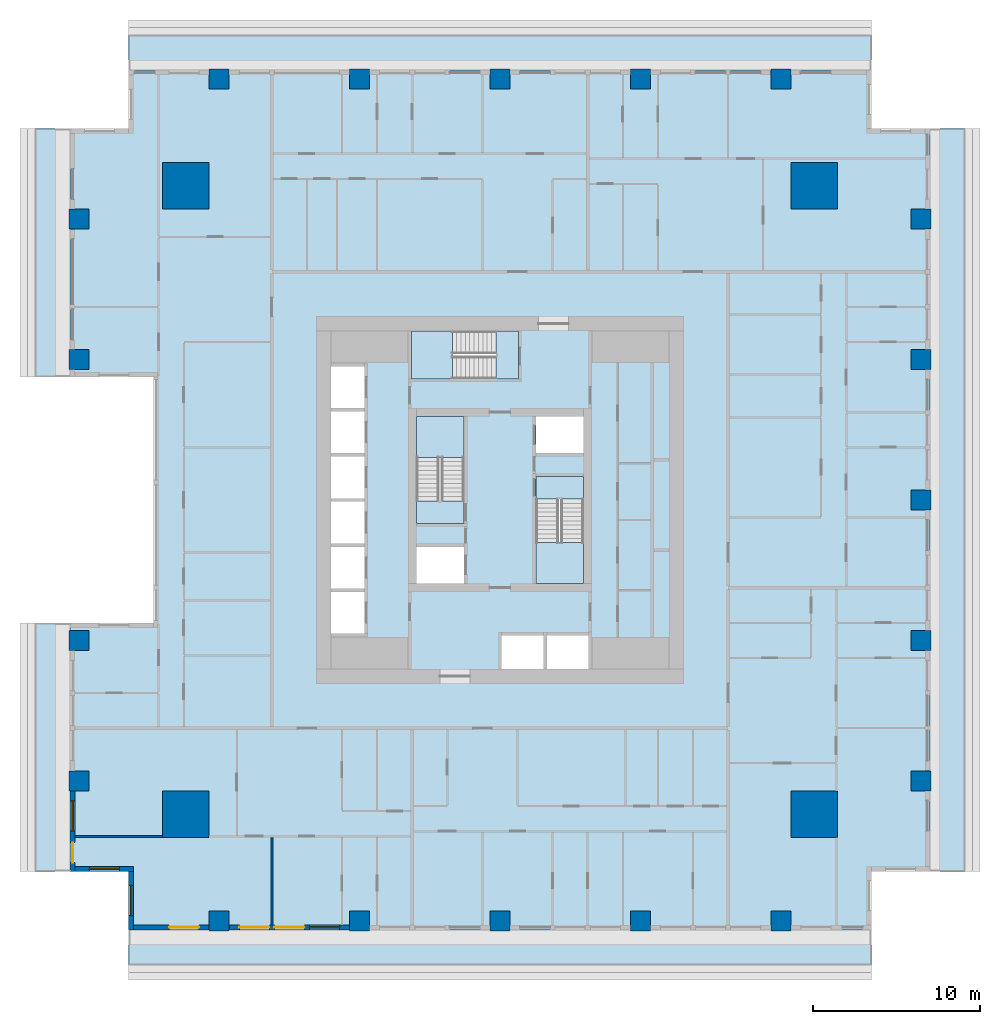
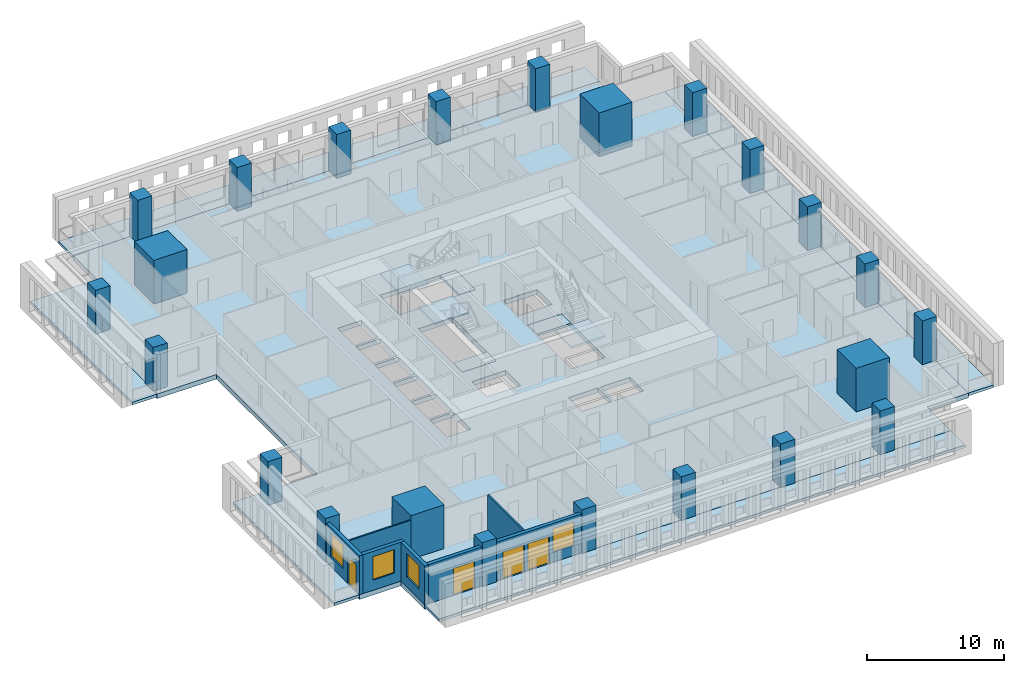
# One storey, part 1 of 15: 23 columns, 12 slabs, 7 walls, 4 doors, 4 windows, 8 openings, 3 elements without a shape of their own.
"""IFC4 building model written with IfcOpenShell, lengths in metres."""

from ifc_helpers import new_model, si_unit, direction, frame, frame_2d, origin, origin_2d, place, context, subcontext, project, spatial, polyline, rectangle, outline, extrude, material, layer, layer_set, material_profile, profile_set, type_object, element, fill, aggregate, save


model = new_model("IFC4")

# Units and contexts
model_context = context("Model", 3, precision=1e-05, world=origin(), true_north=direction((0.0, 1.0)))
body_context = subcontext(model_context, "Body", "Model", "MODEL_VIEW")
ifc_project = project(units=[si_unit("LENGTHUNIT", "METRE"), si_unit("AREAUNIT", "SQUARE_METRE"), si_unit("VOLUMEUNIT", "CUBIC_METRE"), si_unit("PLANEANGLEUNIT", "RADIAN"), si_unit("MASSUNIT", "GRAM", prefix="KILO")], contexts=[model_context])

# Site, building, storey
site_placement = place(None, origin())
site = spatial("IfcSite", under=ifc_project, at=site_placement, CompositionType="ELEMENT")
building_placement = place(site_placement, origin())
building = spatial("IfcBuilding", under=site, at=building_placement, Name="Khepri Terraces", CompositionType="ELEMENT")
storey_placement = place(building_placement, frame((0.0, 0.0, 98.699951171875)))
storey = spatial("IfcBuildingStorey", under=building, at=storey_placement, Name="L23", CompositionType="ELEMENT", Elevation=98.699951171875)

# Columns
ifc_material_1 = material(Name="Concrete C70/85", Category="concrete")
ifc_material_profile_1 = material_profile(ifc_material_1, rectangle(XDim=2.800048828125, YDim=2.800048828125, at=origin_2d()), Name="Concrete C70/85", Category="concrete")
ifc_profile_set_1 = profile_set([ifc_material_profile_1], Name="Concrete C70/85")
column_type_1 = type_object("IfcColumnType", Name="Mega column RC 2800x2800 C70/85", PredefinedType="COLUMN", material=ifc_profile_set_1)
for number, where, z_axis, x_axis, name in (
    (1, (18.800048828125, 18.800048828125, 0.0), (0.0, 0.0, 1.0), (1.0, 0.0, 0.0), "Mega column MEN L23"),
    (2, (18.800048828125, -18.800048828125, 0.0), (0.0, 0.0, 1.0), (1.0, 0.0, 0.0), "Mega column MES L23"),
    (3, (-18.800048828125, 18.800048828125, 0.0), (0.0, 0.0, 1.0), (1.0, 0.0, 0.0), "Mega column MWN L23"),
    (4, (-18.800048828125, -18.800048828125, 0.0), (0.0, 0.0, 1.0), (1.0, 0.0, 0.0), "Mega column MWS L23"),
):
    element("IfcColumn", number, at=place(storey_placement, frame(where, z_axis=z_axis, x_axis=x_axis)), inside=storey, type_object=column_type_1, Name=name, PredefinedType="COLUMN", context=body_context, shape_type="SweptSolid", body=[
        extrude(rectangle(XDim=2.800048828125, YDim=2.800048828125, at=origin_2d()), origin(), (0.0, 0.0, 1.0), 3.900146484375),
    ])
ifc_material_profile_2 = material_profile(ifc_material_1, rectangle(XDim=1.199951171875, YDim=1.199951171875, at=origin_2d()), Name="Concrete C70/85", Category="concrete")
ifc_profile_set_2 = profile_set([ifc_material_profile_2], Name="Concrete C70/85")
column_type_2 = type_object("IfcColumnType", Name="Tower column RC 1200x1200 C70/85", PredefinedType="COLUMN", material=ifc_profile_set_2)
for number, where, z_axis, x_axis, name in (
    (5, (25.199951171875, 0.0, 0.0), (0.0, 0.0, 1.0), (1.0, 0.0, 0.0), "Perimeter column PE+000a L23"),
    (6, (25.199951171875, 8.39990234375, 0.0), (0.0, 0.0, 1.0), (1.0, 0.0, 0.0), "Perimeter column PE+084a L23"),
    (7, (25.199951171875, 16.800048828125, 0.0), (0.0, 0.0, 1.0), (1.0, 0.0, 0.0), "Perimeter column PE+168a L23"),
    (8, (25.199951171875, -8.39990234375, 0.0), (0.0, 0.0, 1.0), (1.0, 0.0, 0.0), "Perimeter column PE-084a L23"),
    (9, (25.199951171875, -16.800048828125, 0.0), (0.0, 0.0, 1.0), (1.0, 0.0, 0.0), "Perimeter column PE-168a L23"),
    (10, (0.0, 25.199951171875, 0.0), (0.0, 0.0, 1.0), (1.0, 0.0, 0.0), "Perimeter column PN+000a L23"),
    (11, (-8.39990234375, 25.199951171875, 0.0), (0.0, 0.0, 1.0), (1.0, 0.0, 0.0), "Perimeter column PN+084a L23"),
    (12, (-16.800048828125, 25.199951171875, 0.0), (0.0, 0.0, 1.0), (1.0, 0.0, 0.0), "Perimeter column PN+168a L23"),
    (13, (8.39990234375, 25.199951171875, 0.0), (0.0, 0.0, 1.0), (1.0, 0.0, 0.0), "Perimeter column PN-084a L23"),
    (14, (16.800048828125, 25.199951171875, 0.0), (0.0, 0.0, 1.0), (1.0, 0.0, 0.0), "Perimeter column PN-168a L23"),
    (15, (0.0, -25.199951171875, 0.0), (0.0, 0.0, 1.0), (1.0, 0.0, 0.0), "Perimeter column PS+000b L23"),
    (16, (8.39990234375, -25.199951171875, 0.0), (0.0, 0.0, 1.0), (1.0, 0.0, 0.0), "Perimeter column PS+084b L23"),
    (17, (16.800048828125, -25.199951171875, 0.0), (0.0, 0.0, 1.0), (1.0, 0.0, 0.0), "Perimeter column PS+168a L23"),
    (18, (-8.39990234375, -25.199951171875, 0.0), (0.0, 0.0, 1.0), (1.0, 0.0, 0.0), "Perimeter column PS-084b L23"),
    (19, (-16.800048828125, -25.199951171875, 0.0), (0.0, 0.0, 1.0), (1.0, 0.0, 0.0), "Perimeter column PS-168a L23"),
    (20, (-25.199951171875, -8.39990234375, 0.0), (0.0, 0.0, 1.0), (1.0, 0.0, 0.0), "Perimeter column PW+084a L23"),
    (21, (-25.199951171875, -16.800048828125, 0.0), (0.0, 0.0, 1.0), (1.0, 0.0, 0.0), "Perimeter column PW+168a L23"),
    (22, (-25.199951171875, 8.39990234375, 0.0), (0.0, 0.0, 1.0), (1.0, 0.0, 0.0), "Perimeter column PW-084a L23"),
    (23, (-25.199951171875, 16.800048828125, 0.0), (0.0, 0.0, 1.0), (1.0, 0.0, 0.0), "Perimeter column PW-168a L23"),
):
    element("IfcColumn", number, at=place(storey_placement, frame(where, z_axis=z_axis, x_axis=x_axis)), inside=storey, type_object=column_type_2, Name=name, PredefinedType="COLUMN", context=body_context, shape_type="SweptSolid", body=[
        extrude(rectangle(XDim=1.199951171875, YDim=1.199951171875, at=origin_2d()), origin(), (0.0, 0.0, 1.0), 3.900146484375),
    ])

# Slabs
ifc_material_2 = material(Name="Concrete C40/50", Category="concrete")
ifc_layer_1 = layer(ifc_material_2, 0.419921875, Name="Concrete C40/50", Category="concrete")
ifc_layer_set_1 = layer_set([ifc_layer_1], Name="Concrete C40/50")
slab_type_1 = type_object("IfcSlabType", Name="Flat plate 420", PredefinedType="FLOOR", material=ifc_layer_set_1)
slab_1_placement = place(storey_placement, frame((0.0, 0.0, -0.419921875)))
element("IfcSlab", 24, at=slab_1_placement, inside=storey, type_object=slab_type_1, Name="Floor slab F01 L23", PredefinedType="FLOOR", context=body_context, shape_type="SweptSolid", body=[
    extrude(outline(polyline([(22.219970703125, 22.219970703125), (25.719970703125, 22.219970703125), (25.719970703125, -22.219970703125), (22.219970703125, -22.219970703125), (22.219970703125, -25.719970703125), (-22.219970703125, -25.719970703125), (-22.219970703125, -22.219970703125), (-25.719970703125, -22.219970703125), (-25.719970703125, -7.35009765625), (-20.719970703125, -7.35009765625), (-20.719970703125, 7.35009765625), (-25.719970703125, 7.35009765625), (-25.719970703125, 22.219970703125), (-22.219970703125, 22.219970703125), (-22.219970703125, 25.719970703125), (22.219970703125, 25.719970703125), (22.219970703125, 22.219970703125)]), holes=[polyline([(5.0, 5.0), (2.14990234375, 5.0), (2.14990234375, 2.800048828125), (5.0, 2.800048828125), (5.0, 5.0)]), polyline([(-2.14990234375, -5.0), (-2.14990234375, -2.800048828125), (-5.0, -2.800048828125), (-5.0, -5.0), (-2.14990234375, -5.0)]), polyline([(-10.10009765625, -8.0), (-8.10009765625, -8.0), (-8.10009765625, -5.5), (-10.10009765625, -5.5), (-10.10009765625, -8.0)]), polyline([(-10.10009765625, -2.800048828125), (-10.10009765625, -5.300048828125), (-8.10009765625, -5.300048828125), (-8.10009765625, -2.800048828125), (-10.10009765625, -2.800048828125)]), polyline([(-8.10009765625, -0.10009765625), (-10.10009765625, -0.10009765625), (-10.10009765625, -2.60009765625), (-8.10009765625, -2.60009765625), (-8.10009765625, -0.10009765625)]), polyline([(-8.10009765625, 0.10009765625), (-8.10009765625, 2.60009765625), (-10.10009765625, 2.60009765625), (-10.10009765625, 0.10009765625), (-8.10009765625, 0.10009765625)]), polyline([(-10.10009765625, 2.800048828125), (-8.10009765625, 2.800048828125), (-8.10009765625, 5.300048828125), (-10.10009765625, 5.300048828125), (-10.10009765625, 2.800048828125)]), polyline([(-10.10009765625, 8.0), (-10.10009765625, 5.5), (-8.10009765625, 5.5), (-8.10009765625, 8.0), (-10.10009765625, 8.0)]), polyline([(2.60009765625, -8.10009765625), (0.10009765625, -8.10009765625), (0.10009765625, -10.10009765625), (2.60009765625, -10.10009765625), (2.60009765625, -8.10009765625)]), polyline([(5.300048828125, -10.10009765625), (5.300048828125, -8.10009765625), (2.800048828125, -8.10009765625), (2.800048828125, -10.10009765625), (5.300048828125, -10.10009765625)]), polyline([(-5.0, -1.39990234375), (-2.14990234375, -1.39990234375), (-2.14990234375, 5.0), (-5.0, 5.0), (-5.0, -1.39990234375)]), polyline([(5.0, -5.0), (5.0, 1.39990234375), (2.14990234375, 1.39990234375), (2.14990234375, -5.0), (5.0, -5.0)]), polyline([(-5.300048828125, 10.10009765625), (-5.300048828125, 7.25), (1.10009765625, 7.25), (1.10009765625, 10.10009765625), (-5.300048828125, 10.10009765625)])]), origin(), (0.0, 0.0, 1.0), 0.419921875),
])
ifc_material_3 = material(Name="Precast concrete C50/60 warm stone", Category="masonry")
ifc_layer_2 = layer(ifc_material_3, 0.25, Name="Precast concrete C50/60 warm stone", Category="masonry")
ifc_layer_set_2 = layer_set([ifc_layer_2], Name="Precast concrete C50/60 warm stone")
slab_type_2 = type_object("IfcSlabType", Name="SLB-BALCONY-250", PredefinedType="FLOOR", material=ifc_layer_set_2)
slab_2_placement = place(storey_placement, frame((0.0, 0.0, -0.25)))
element("IfcSlab", 25, at=slab_2_placement, inside=storey, type_object=slab_type_2, Name="Balcony slab L23 S", PredefinedType="FLOOR", context=body_context, shape_type="SweptSolid", body=[
    extrude(outline(polyline([(-17.39990234375, -25.719970703125), (-22.219970703125, -25.719970703125), (-22.219970703125, -27.820068359375), (22.219970703125, -27.820068359375), (22.219970703125, -25.719970703125), (17.39990234375, -25.719970703125), (17.39990234375, -25.800048828125), (16.199951171875, -25.800048828125), (16.199951171875, -25.719970703125), (9.0, -25.719970703125), (9.0, -25.800048828125), (7.800048828125, -25.800048828125), (7.800048828125, -25.719970703125), (0.60009765625, -25.719970703125), (0.60009765625, -25.800048828125), (-0.60009765625, -25.800048828125), (-0.60009765625, -25.719970703125), (-7.800048828125, -25.719970703125), (-7.800048828125, -25.800048828125), (-9.0, -25.800048828125), (-9.0, -25.719970703125), (-16.199951171875, -25.719970703125), (-16.199951171875, -25.800048828125), (-17.39990234375, -25.800048828125), (-17.39990234375, -25.719970703125)])), origin(), (0.0, 0.0, 1.0), 0.25),
])
slab_3_placement = place(storey_placement, frame((0.0, 0.0, -0.25)))
element("IfcSlab", 26, at=slab_3_placement, inside=storey, type_object=slab_type_2, Name="Balcony slab L23 E", PredefinedType="FLOOR", context=body_context, shape_type="SweptSolid", body=[
    extrude(outline(polyline([(25.719970703125, -17.39990234375), (25.719970703125, -22.219970703125), (27.820068359375, -22.219970703125), (27.820068359375, 22.219970703125), (25.719970703125, 22.219970703125), (25.719970703125, 17.39990234375), (25.800048828125, 17.39990234375), (25.800048828125, 16.199951171875), (25.719970703125, 16.199951171875), (25.719970703125, 9.0), (25.800048828125, 9.0), (25.800048828125, 7.800048828125), (25.719970703125, 7.800048828125), (25.719970703125, 0.60009765625), (25.800048828125, 0.60009765625), (25.800048828125, -0.60009765625), (25.719970703125, -0.60009765625), (25.719970703125, -7.800048828125), (25.800048828125, -7.800048828125), (25.800048828125, -9.0), (25.719970703125, -9.0), (25.719970703125, -16.199951171875), (25.800048828125, -16.199951171875), (25.800048828125, -17.39990234375), (25.719970703125, -17.39990234375)])), origin(), (0.0, 0.0, 1.0), 0.25),
])
slab_4_placement = place(storey_placement, frame((0.0, 0.0, -0.25)))
element("IfcSlab", 27, at=slab_4_placement, inside=storey, type_object=slab_type_2, Name="Balcony slab L23 N", PredefinedType="FLOOR", context=body_context, shape_type="SweptSolid", body=[
    extrude(outline(polyline([(17.39990234375, 25.719970703125), (22.219970703125, 25.719970703125), (22.219970703125, 27.820068359375), (-22.219970703125, 27.820068359375), (-22.219970703125, 25.719970703125), (-17.39990234375, 25.719970703125), (-17.39990234375, 25.800048828125), (-16.199951171875, 25.800048828125), (-16.199951171875, 25.719970703125), (-9.0, 25.719970703125), (-9.0, 25.800048828125), (-7.800048828125, 25.800048828125), (-7.800048828125, 25.719970703125), (-0.60009765625, 25.719970703125), (-0.60009765625, 25.800048828125), (0.60009765625, 25.800048828125), (0.60009765625, 25.719970703125), (7.800048828125, 25.719970703125), (7.800048828125, 25.800048828125), (9.0, 25.800048828125), (9.0, 25.719970703125), (16.199951171875, 25.719970703125), (16.199951171875, 25.800048828125), (17.39990234375, 25.800048828125), (17.39990234375, 25.719970703125)])), origin(), (0.0, 0.0, 1.0), 0.25),
])
slab_5_placement = place(storey_placement, frame((0.0, 0.0, -0.25)))
element("IfcSlab", 28, at=slab_5_placement, inside=storey, type_object=slab_type_2, Name="Balcony slab L23 W", PredefinedType="FLOOR", context=body_context, shape_type="SweptSolid", body=[
    extrude(outline(polyline([(-25.719970703125, 17.39990234375), (-25.719970703125, 22.219970703125), (-27.820068359375, 22.219970703125), (-27.820068359375, 7.35009765625), (-25.719970703125, 7.35009765625), (-25.719970703125, 7.800048828125), (-25.800048828125, 7.800048828125), (-25.800048828125, 9.0), (-25.719970703125, 9.0), (-25.719970703125, 16.199951171875), (-25.800048828125, 16.199951171875), (-25.800048828125, 17.39990234375), (-25.719970703125, 17.39990234375)])), origin(), (0.0, 0.0, 1.0), 0.25),
])
slab_6_placement = place(storey_placement, frame((0.0, 0.0, -0.25)))
element("IfcSlab", 29, at=slab_6_placement, inside=storey, type_object=slab_type_2, Name="Balcony slab L23 W", PredefinedType="FLOOR", context=body_context, shape_type="SweptSolid", body=[
    extrude(outline(polyline([(-25.719970703125, -7.800048828125), (-25.719970703125, -7.35009765625), (-27.820068359375, -7.35009765625), (-27.820068359375, -22.219970703125), (-25.719970703125, -22.219970703125), (-25.719970703125, -17.39990234375), (-25.800048828125, -17.39990234375), (-25.800048828125, -16.199951171875), (-25.719970703125, -16.199951171875), (-25.719970703125, -9.0), (-25.800048828125, -9.0), (-25.800048828125, -7.800048828125), (-25.719970703125, -7.800048828125)])), origin(), (0.0, 0.0, 1.0), 0.25),
])

# Stair, slabs
stair_type = type_object("IfcStairType", Name="STAIR-RC-22R", PredefinedType="HALF_TURN_STAIR", material=ifc_material_2)
stair_1_placement = place(storey_placement, origin())
stair_1 = element("IfcStair", 30, at=stair_1_placement, inside=storey, type_object=stair_type, Name="L23 Exit Stair ST-1", PredefinedType="HALF_TURN_STAIR")
ifc_layer_3 = layer(ifc_material_2, 0.199951171875, Name="Concrete C40/50", Category="concrete")
ifc_layer_set_3 = layer_set([ifc_layer_3], Name="Concrete C40/50")
slab_type_3 = type_object("IfcSlabType", Name="SLB-CORE-LANDING", PredefinedType="LANDING", material=ifc_layer_set_3)
slab_7_placement = place(storey_placement, frame((0.0, 0.0, -0.199951171875)))
slab_7 = element("IfcSlab", 31, at=slab_7_placement, type_object=slab_type_3, Name="ST-1 landing 1", PredefinedType="LANDING", context=body_context, shape_type="SweptSolid", body=[
    extrude(outline(polyline([(-2.14990234375, -1.39990234375), (-2.14990234375, -0.050048828125), (-5.0, -0.050048828125), (-5.0, -1.39990234375), (-2.14990234375, -1.39990234375)])), origin(), (0.0, 0.0, 1.0), 0.199951171875),
])
slab_8_placement = place(storey_placement, frame((0.0, 0.0, 1.75)))
slab_8 = element("IfcSlab", 32, at=slab_8_placement, type_object=slab_type_3, Name="ST-1 landing 2", PredefinedType="LANDING", context=body_context, shape_type="SweptSolid", body=[
    extrude(outline(polyline([(-2.14990234375, 2.550048828125), (-2.14990234375, 5.0), (-5.0, 5.0), (-5.0, 2.550048828125), (-2.14990234375, 2.550048828125)])), origin(), (0.0, 0.0, 1.0), 0.199951171875),
])
aggregate(stair_1, [slab_7, slab_8])

stair_2_placement = place(storey_placement, origin())
stair_2 = element("IfcStair", 33, at=stair_2_placement, inside=storey, type_object=stair_type, Name="L23 Exit Stair ST-2", PredefinedType="HALF_TURN_STAIR")
slab_9_placement = place(storey_placement, frame((0.0, 0.0, -0.199951171875)))
slab_9 = element("IfcSlab", 34, at=slab_9_placement, type_object=slab_type_3, Name="ST-2 landing 1", PredefinedType="LANDING", context=body_context, shape_type="SweptSolid", body=[
    extrude(outline(polyline([(2.14990234375, 1.39990234375), (2.14990234375, 0.050048828125), (5.0, 0.050048828125), (5.0, 1.39990234375), (2.14990234375, 1.39990234375)])), origin(), (0.0, 0.0, 1.0), 0.199951171875),
])
slab_10_placement = place(storey_placement, frame((0.0, 0.0, 1.75)))
slab_10 = element("IfcSlab", 35, at=slab_10_placement, type_object=slab_type_3, Name="ST-2 landing 2", PredefinedType="LANDING", context=body_context, shape_type="SweptSolid", body=[
    extrude(outline(polyline([(2.14990234375, -2.550048828125), (2.14990234375, -5.0), (5.0, -5.0), (5.0, -2.550048828125), (2.14990234375, -2.550048828125)])), origin(), (0.0, 0.0, 1.0), 0.199951171875),
])
aggregate(stair_2, [slab_9, slab_10])

stair_3_placement = place(storey_placement, origin())
stair_3 = element("IfcStair", 36, at=stair_3_placement, inside=storey, type_object=stair_type, Name="L23 Exit Stair ST-3", PredefinedType="HALF_TURN_STAIR")
slab_11_placement = place(storey_placement, frame((0.0, 0.0, -0.199951171875)))
slab_11 = element("IfcSlab", 37, at=slab_11_placement, type_object=slab_type_3, Name="ST-3 landing 1", PredefinedType="LANDING", context=body_context, shape_type="SweptSolid", body=[
    extrude(outline(polyline([(1.10009765625, 10.10009765625), (-0.25, 10.10009765625), (-0.25, 7.25), (1.10009765625, 7.25), (1.10009765625, 10.10009765625)])), origin(), (0.0, 0.0, 1.0), 0.199951171875),
])
slab_12_placement = place(storey_placement, frame((0.0, 0.0, 1.75)))
slab_12 = element("IfcSlab", 38, at=slab_12_placement, type_object=slab_type_3, Name="ST-3 landing 2", PredefinedType="LANDING", context=body_context, shape_type="SweptSolid", body=[
    extrude(outline(polyline([(-2.85009765625, 10.10009765625), (-5.300048828125, 10.10009765625), (-5.300048828125, 7.25), (-2.85009765625, 7.25), (-2.85009765625, 10.10009765625)])), origin(), (0.0, 0.0, 1.0), 0.199951171875),
])
aggregate(stair_3, [slab_11, slab_12])

# Wall, openings, door, window
ifc_layer_4 = layer(ifc_material_3, 0.300048828125, Name="Precast concrete C50/60 warm stone", Category="masonry")
ifc_layer_set_4 = layer_set([ifc_layer_4], Name="Precast concrete C50/60 warm stone")
wall_type_1 = type_object("IfcWallType", Name="WL-EXT-PRECAST-300", PredefinedType="STANDARD", material=ifc_layer_set_4)
wall_1_placement = place(storey_placement, frame((-25.570068359375, -17.39990234375, 0.0), z_axis=(0.0, 0.0, 1.0), x_axis=(0.0, -1.0, 0.0)))
wall_1 = element("IfcWall", 39, at=wall_1_placement, inside=storey, type_object=wall_type_1, Name="External wall L23 W", PredefinedType="STANDARD", context=body_context, shape_type="SweptSolid", body=[
    extrude(rectangle(XDim=4.820068359375, YDim=0.300048828125, at=frame_2d((2.41015625, 0.0))), origin(), (0.0, 0.0, 1.0), 3.47998046875),
])
opening_1_placement = place(wall_1_placement, frame((0.60009765625, 0.0, 0.89990234375)))
opening_1 = element("IfcOpeningElement", 40, at=opening_1_placement, cuts=wall_1, Name="Opening W1", PredefinedType="OPENING", context=body_context, shape_type="SweptSolid", body=[
    extrude(rectangle(XDim=1.800048828125, YDim=2.10009765625, at=frame_2d((0.89990234375, 1.050048828125))), frame((0.0, 0.16015625, 0.0), z_axis=(0.0, -1.0, 0.0), x_axis=(1.0, 0.0, 0.0)), (0.0, 0.0, 1.0), 0.320068359375),
])
opening_2_placement = place(wall_1_placement, frame((3.094970703125, 0.0, 0.0)))
opening_2 = element("IfcOpeningElement", 41, at=opening_2_placement, cuts=wall_1, Name="Opening ED-L23-16", PredefinedType="OPENING", context=body_context, shape_type="SweptSolid", body=[
    extrude(rectangle(XDim=1.199951171875, YDim=2.39990234375, at=frame_2d((0.60009765625, 1.199951171875))), frame((0.0, 0.16015625, 0.0), z_axis=(0.0, -1.0, 0.0), x_axis=(1.0, 0.0, 0.0)), (0.0, 0.0, 1.0), 0.320068359375),
])
ifc_material_4 = material(Name="Anodised aluminium bronze glazed door", Category="aluminium")
door_type_1 = type_object("IfcDoorType", Name="DR-BAL-SLIDE-1200x2400", OperationType="NOTDEFINED", PredefinedType="DOOR", material=ifc_material_4)
door_1_placement = place(opening_2_placement, origin())
door_1 = element("IfcDoor", 42, at=door_1_placement, inside=storey, type_object=door_type_1, Name="Balcony door L23 W", OperationType="SLIDING_TO_RIGHT", OverallHeight=2.39990234375, OverallWidth=1.199951171875, PredefinedType="DOOR", context=body_context, shape_type="SweptSolid", body=[
    extrude(rectangle(XDim=1.199951171875, YDim=2.39990234375, at=frame_2d((0.60009765625, 1.199951171875))), frame((0.0, 0.02490234375, 0.0), z_axis=(0.0, -1.0, 0.0), x_axis=(1.0, 0.0, 0.0)), (0.0, 0.0, 1.0), 0.050048828125),
])
fill(opening_2, door_1)
ifc_material_5 = material(Name="Clear glass", Category="glass")
window_type = type_object("IfcWindowType", Name="WIN-RES-1800x2100", PartitioningType="SINGLE_PANEL", PredefinedType="WINDOW", material=ifc_material_5)
window_1_placement = place(opening_1_placement, origin())
window_1 = element("IfcWindow", 43, at=window_1_placement, inside=storey, type_object=window_type, Name="Window L23 W", OverallHeight=2.10009765625, OverallWidth=1.800048828125, PartitioningType="SINGLE_PANEL", PredefinedType="WINDOW", context=body_context, shape_type="SweptSolid", body=[
    extrude(rectangle(XDim=1.800048828125, YDim=2.10009765625, at=frame_2d((0.89990234375, 1.050048828125))), frame((0.0, 0.030029296875, 0.0), z_axis=(0.0, -1.0, 0.0), x_axis=(1.0, 0.0, 0.0)), (0.0, 0.0, 1.0), 0.06005859375),
])
fill(opening_1, window_1)

# Wall, opening, window
wall_2_placement = place(storey_placement, frame((-25.419921875, -22.070068359375, 0.0), z_axis=(0.0, 0.0, 1.0), x_axis=(1.0, 0.0, 0.0)))
wall_2 = element("IfcWall", 44, at=wall_2_placement, inside=storey, type_object=wall_type_1, Name="External wall L23 S", PredefinedType="STANDARD", context=body_context, shape_type="SweptSolid", body=[
    extrude(rectangle(XDim=3.5, YDim=0.300048828125, at=frame_2d((1.75, 0.0))), origin(), (0.0, 0.0, 1.0), 3.47998046875),
])
opening_3_placement = place(wall_2_placement, frame((0.85009765625, 0.0, 0.89990234375)))
opening_3 = element("IfcOpeningElement", 45, at=opening_3_placement, cuts=wall_2, Name="Opening W1", PredefinedType="OPENING", context=body_context, shape_type="SweptSolid", body=[
    extrude(rectangle(XDim=1.800048828125, YDim=2.10009765625, at=frame_2d((0.89990234375, 1.050048828125))), frame((0.0, 0.16015625, 0.0), z_axis=(0.0, -1.0, 0.0), x_axis=(1.0, 0.0, 0.0)), (0.0, 0.0, 1.0), 0.320068359375),
])
window_2_placement = place(opening_3_placement, origin())
window_2 = element("IfcWindow", 46, at=window_2_placement, inside=storey, type_object=window_type, Name="Window L23 S", OverallHeight=2.10009765625, OverallWidth=1.800048828125, PartitioningType="SINGLE_PANEL", PredefinedType="WINDOW", context=body_context, shape_type="SweptSolid", body=[
    extrude(rectangle(XDim=1.800048828125, YDim=2.10009765625, at=frame_2d((0.89990234375, 1.050048828125))), frame((0.0, 0.030029296875, 0.0), z_axis=(0.0, -1.0, 0.0), x_axis=(1.0, 0.0, 0.0)), (0.0, 0.0, 1.0), 0.06005859375),
])
fill(opening_3, window_2)

wall_3_placement = place(storey_placement, frame((-22.070068359375, -22.219970703125, 0.0), z_axis=(0.0, 0.0, 1.0), x_axis=(0.0, -1.0, 0.0)))
wall_3 = element("IfcWall", 47, at=wall_3_placement, inside=storey, type_object=wall_type_1, Name="External wall L23 W", PredefinedType="STANDARD", context=body_context, shape_type="SweptSolid", body=[
    extrude(rectangle(XDim=3.5, YDim=0.300048828125, at=frame_2d((1.75, 0.0))), origin(), (0.0, 0.0, 1.0), 3.47998046875),
])
opening_4_placement = place(wall_3_placement, frame((0.85009765625, 0.0, 0.89990234375)))
opening_4 = element("IfcOpeningElement", 48, at=opening_4_placement, cuts=wall_3, Name="Opening W1", PredefinedType="OPENING", context=body_context, shape_type="SweptSolid", body=[
    extrude(rectangle(XDim=1.800048828125, YDim=2.10009765625, at=frame_2d((0.89990234375, 1.050048828125))), frame((0.0, 0.16015625, 0.0), z_axis=(0.0, -1.0, 0.0), x_axis=(1.0, 0.0, 0.0)), (0.0, 0.0, 1.0), 0.320068359375),
])
window_3_placement = place(opening_4_placement, origin())
window_3 = element("IfcWindow", 49, at=window_3_placement, inside=storey, type_object=window_type, Name="Window L23 W", OverallHeight=2.10009765625, OverallWidth=1.800048828125, PartitioningType="SINGLE_PANEL", PredefinedType="WINDOW", context=body_context, shape_type="SweptSolid", body=[
    extrude(rectangle(XDim=1.800048828125, YDim=2.10009765625, at=frame_2d((0.89990234375, 1.050048828125))), frame((0.0, 0.030029296875, 0.0), z_axis=(0.0, -1.0, 0.0), x_axis=(1.0, 0.0, 0.0)), (0.0, 0.0, 1.0), 0.06005859375),
])
fill(opening_4, window_3)

# Wall, opening, door
wall_4_placement = place(storey_placement, frame((-21.919921875, -25.570068359375, 0.0), z_axis=(0.0, 0.0, 1.0), x_axis=(1.0, 0.0, 0.0)))
wall_4 = element("IfcWall", 50, at=wall_4_placement, inside=storey, type_object=wall_type_1, Name="External wall L23 S", PredefinedType="STANDARD", context=body_context, shape_type="SweptSolid", body=[
    extrude(rectangle(XDim=4.52001953125, YDim=0.300048828125, at=frame_2d((2.260009765625, 0.0))), origin(), (0.0, 0.0, 1.0), 3.47998046875),
])
opening_5_placement = place(wall_4_placement, frame((2.1201171875, 0.0, 0.0)))
opening_5 = element("IfcOpeningElement", 51, at=opening_5_placement, cuts=wall_4, Name="Opening ED-L23-17", PredefinedType="OPENING", context=body_context, shape_type="SweptSolid", body=[
    extrude(rectangle(XDim=1.800048828125, YDim=2.39990234375, at=frame_2d((0.89990234375, 1.199951171875))), frame((0.0, 0.16015625, 0.0), z_axis=(0.0, -1.0, 0.0), x_axis=(1.0, 0.0, 0.0)), (0.0, 0.0, 1.0), 0.320068359375),
])
door_type_2 = type_object("IfcDoorType", Name="DR-BAL-SLIDE-1800x2400", OperationType="NOTDEFINED", PredefinedType="DOOR", material=ifc_material_4)
door_2_placement = place(opening_5_placement, origin())
door_2 = element("IfcDoor", 52, at=door_2_placement, inside=storey, type_object=door_type_2, Name="Balcony door L23 S", OperationType="SLIDING_TO_RIGHT", OverallHeight=2.39990234375, OverallWidth=1.800048828125, PredefinedType="DOOR", context=body_context, shape_type="SweptSolid", body=[
    extrude(rectangle(XDim=1.800048828125, YDim=2.39990234375, at=frame_2d((0.89990234375, 1.199951171875))), frame((0.0, 0.02490234375, 0.0), z_axis=(0.0, -1.0, 0.0), x_axis=(1.0, 0.0, 0.0)), (0.0, 0.0, 1.0), 0.050048828125),
])
fill(opening_5, door_2)

# Wall, openings, doors, window
wall_5_placement = place(storey_placement, frame((-16.199951171875, -25.570068359375, 0.0), z_axis=(0.0, 0.0, 1.0), x_axis=(1.0, 0.0, 0.0)))
wall_5 = element("IfcWall", 53, at=wall_5_placement, inside=storey, type_object=wall_type_1, Name="External wall L23 S", PredefinedType="STANDARD", context=body_context, shape_type="SweptSolid", body=[
    extrude(rectangle(XDim=7.199951171875, YDim=0.300048828125, at=frame_2d((3.60009765625, 0.0))), origin(), (0.0, 0.0, 1.0), 3.47998046875),
])
opening_6_placement = place(wall_5_placement, frame((0.60009765625, 0.0, 0.0)))
opening_6 = element("IfcOpeningElement", 54, at=opening_6_placement, cuts=wall_5, Name="Opening ED-L23-18", PredefinedType="OPENING", context=body_context, shape_type="SweptSolid", body=[
    extrude(rectangle(XDim=1.800048828125, YDim=2.39990234375, at=frame_2d((0.89990234375, 1.199951171875))), frame((0.0, 0.16015625, 0.0), z_axis=(0.0, -1.0, 0.0), x_axis=(1.0, 0.0, 0.0)), (0.0, 0.0, 1.0), 0.320068359375),
])
opening_7_placement = place(wall_5_placement, frame((2.699951171875, 0.0, 0.0)))
opening_7 = element("IfcOpeningElement", 55, at=opening_7_placement, cuts=wall_5, Name="Opening ED-L23-19", PredefinedType="OPENING", context=body_context, shape_type="SweptSolid", body=[
    extrude(rectangle(XDim=1.800048828125, YDim=2.39990234375, at=frame_2d((0.89990234375, 1.199951171875))), frame((0.0, 0.16015625, 0.0), z_axis=(0.0, -1.0, 0.0), x_axis=(1.0, 0.0, 0.0)), (0.0, 0.0, 1.0), 0.320068359375),
])
opening_8_placement = place(wall_5_placement, frame((4.800048828125, 0.0, 0.89990234375)))
opening_8 = element("IfcOpeningElement", 56, at=opening_8_placement, cuts=wall_5, Name="Opening W1", PredefinedType="OPENING", context=body_context, shape_type="SweptSolid", body=[
    extrude(rectangle(XDim=1.800048828125, YDim=2.10009765625, at=frame_2d((0.89990234375, 1.050048828125))), frame((0.0, 0.16015625, 0.0), z_axis=(0.0, -1.0, 0.0), x_axis=(1.0, 0.0, 0.0)), (0.0, 0.0, 1.0), 0.320068359375),
])
door_3_placement = place(opening_6_placement, origin())
door_3 = element("IfcDoor", 57, at=door_3_placement, inside=storey, type_object=door_type_2, Name="Balcony door L23 S", OperationType="SLIDING_TO_LEFT", OverallHeight=2.39990234375, OverallWidth=1.800048828125, PredefinedType="DOOR", context=body_context, shape_type="SweptSolid", body=[
    extrude(rectangle(XDim=1.800048828125, YDim=2.39990234375, at=frame_2d((0.89990234375, 1.199951171875))), frame((0.0, 0.02490234375, 0.0), z_axis=(0.0, -1.0, 0.0), x_axis=(1.0, 0.0, 0.0)), (0.0, 0.0, 1.0), 0.050048828125),
])
fill(opening_6, door_3)
door_4_placement = place(opening_7_placement, origin())
door_4 = element("IfcDoor", 58, at=door_4_placement, inside=storey, type_object=door_type_2, Name="Balcony door L23 S", OperationType="SLIDING_TO_RIGHT", OverallHeight=2.39990234375, OverallWidth=1.800048828125, PredefinedType="DOOR", context=body_context, shape_type="SweptSolid", body=[
    extrude(rectangle(XDim=1.800048828125, YDim=2.39990234375, at=frame_2d((0.89990234375, 1.199951171875))), frame((0.0, 0.02490234375, 0.0), z_axis=(0.0, -1.0, 0.0), x_axis=(1.0, 0.0, 0.0)), (0.0, 0.0, 1.0), 0.050048828125),
])
fill(opening_7, door_4)
window_4_placement = place(opening_8_placement, origin())
window_4 = element("IfcWindow", 59, at=window_4_placement, inside=storey, type_object=window_type, Name="Window L23 S", OverallHeight=2.10009765625, OverallWidth=1.800048828125, PartitioningType="SINGLE_PANEL", PredefinedType="WINDOW", context=body_context, shape_type="SweptSolid", body=[
    extrude(rectangle(XDim=1.800048828125, YDim=2.10009765625, at=frame_2d((0.89990234375, 1.050048828125))), frame((0.0, 0.030029296875, 0.0), z_axis=(0.0, -1.0, 0.0), x_axis=(1.0, 0.0, 0.0)), (0.0, 0.0, 1.0), 0.06005859375),
])
fill(opening_8, window_4)

# Walls
ifc_material_6 = material(Name="Gypsum plasterboard partition")
ifc_layer_5 = layer(ifc_material_6, 0.1201171875, Name="Gypsum plasterboard partition")
ifc_layer_set_5 = layer_set([ifc_layer_5], Name="Gypsum plasterboard partition")
wall_type_2 = type_object("IfcWallType", Name="WL-PART-120", PredefinedType="PARTITIONING", material=ifc_layer_set_5)
wall_6_placement = place(storey_placement, frame((-13.64990234375, -25.419921875, 0.0), z_axis=(0.0, 0.0, 1.0), x_axis=(0.0, 1.0, 0.0)))
element("IfcWall", 60, at=wall_6_placement, inside=storey, type_object=wall_type_2, Name="Partition P-001 L23", PredefinedType="PARTITIONING", context=body_context, shape_type="SweptSolid", body=[
    extrude(rectangle(XDim=5.239990234375, YDim=0.1201171875, at=frame_2d((2.6201171875, 0.0))), origin(), (0.0, 0.0, 1.0), 3.47998046875),
])
wall_7_placement = place(storey_placement, frame((-25.419921875, -20.1201171875, 0.0), z_axis=(0.0, 0.0, 1.0), x_axis=(1.0, 0.0, 0.0)))
element("IfcWall", 61, at=wall_7_placement, inside=storey, type_object=wall_type_2, Name="Partition P-012 L23", PredefinedType="PARTITIONING", context=body_context, shape_type="SweptSolid", body=[
    extrude(rectangle(XDim=5.219970703125, YDim=0.1201171875, at=frame_2d((2.60986328125, 0.0))), origin(), (0.0, 0.0, 1.0), 3.47998046875),
])

save(model, "model.ifc")
